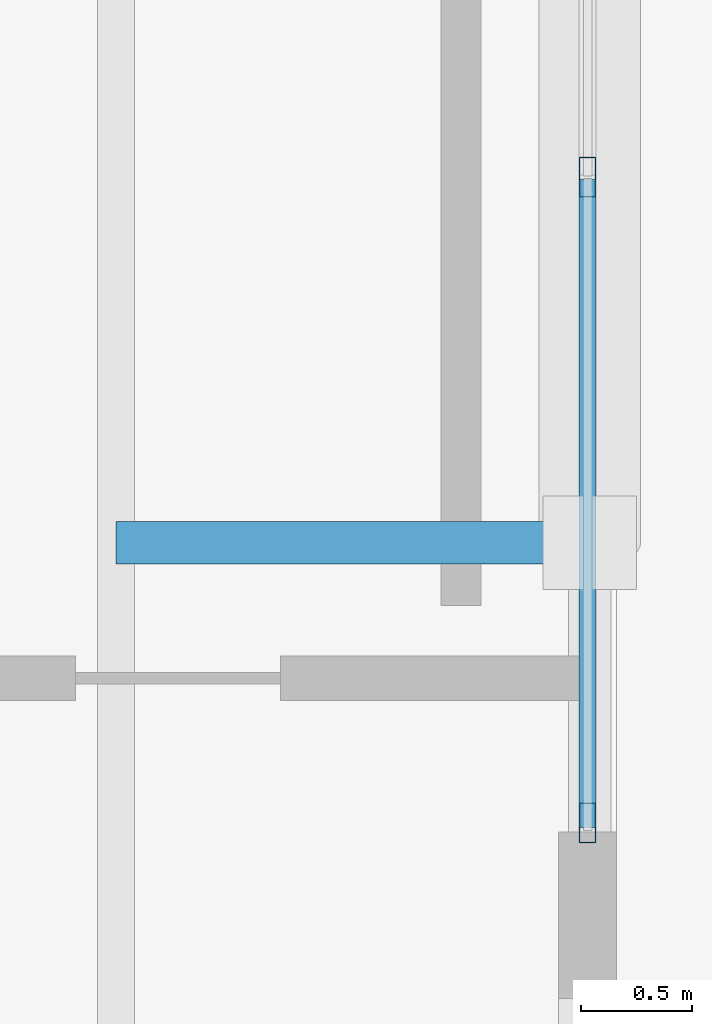
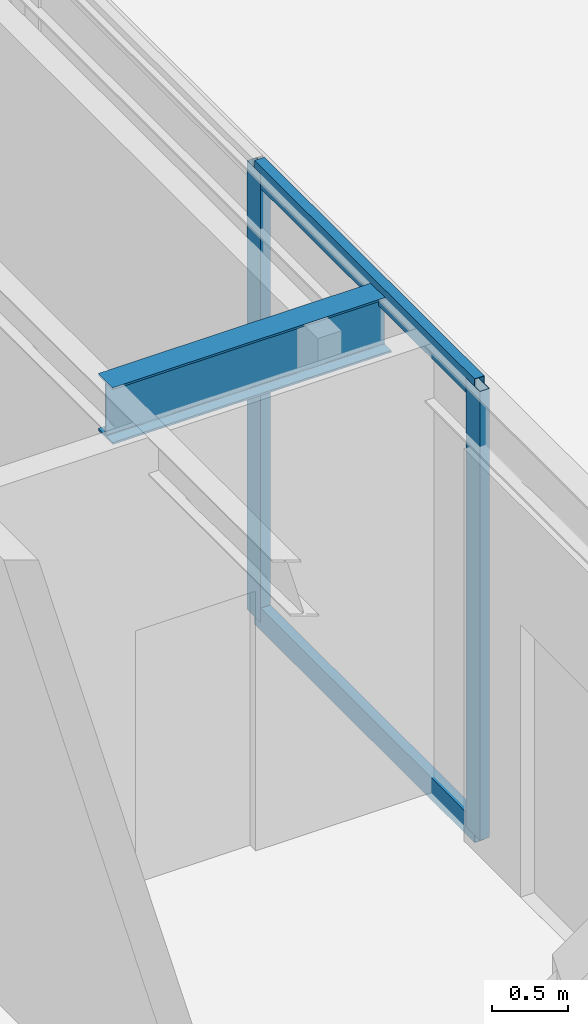
# One storey, part 2 of 14: 4 members, 1 beam, 1 element without a shape of its own.
"""IFC4 building model written with IfcOpenShell, lengths in metres."""

from ifc_helpers import new_model, si_unit, direction, frame, origin, origin_2d, place, context, subcontext, project, spatial, hollow_rectangle, i_section, extrude, material, material_profile, profile_set, type_object, element, aggregate, save


model = new_model("IFC4")

# Units and contexts
model_context = context("Model", 3, precision=1e-05, world=origin(), true_north=direction((0.0, 1.0)))
body_context = subcontext(model_context, "Body", "Model", "MODEL_VIEW")
ifc_project = project(units=[si_unit("LENGTHUNIT", "METRE"), si_unit("AREAUNIT", "SQUARE_METRE"), si_unit("VOLUMEUNIT", "CUBIC_METRE"), si_unit("PLANEANGLEUNIT", "RADIAN"), si_unit("MASSUNIT", "GRAM", prefix="KILO")], contexts=[model_context])

# Site, building, storey
site_placement = place(None, origin())
site = spatial("IfcSite", under=ifc_project, at=site_placement, CompositionType="ELEMENT")
building_placement = place(site_placement, origin())
building = spatial("IfcBuilding", under=site, at=building_placement, Name="Ventersveld Concourse Tower", CompositionType="ELEMENT")
storey_placement = place(building_placement, frame((0.0, 0.0, 337.5)))
storey = spatial("IfcBuildingStorey", under=building, at=storey_placement, Name="L83", CompositionType="ELEMENT", Elevation=337.5)

# Curtain wall, members
ifc_material_1 = material(Name="Anodised aluminium EN AW-6063-T6", Category="aluminium")
curtain_wall_type = type_object("IfcCurtainWallType", Name="CW-WP-5", PredefinedType="NOTDEFINED", material=ifc_material_1)
curtain_wall_placement = place(storey_placement, origin())
curtain_wall = element("IfcCurtainWall", 1, at=curtain_wall_placement, inside=storey, type_object=curtain_wall_type, Name="L83 L83 Wind Portal Aerodynamic Cheek Curtain Wall", PredefinedType="NOTDEFINED")
ifc_material_profile_1 = material_profile(ifc_material_1, hollow_rectangle(XDim=0.074951171875, YDim=0.179931640625, WallThickness=0.00390625, at=origin_2d()), Name="ALU 180x75x4")
ifc_profile_set_1 = profile_set([ifc_material_profile_1], Name="Anodised aluminium EN AW-6063-T6")
member_type_1 = type_object("IfcMemberType", Name="CWM-180x75", PredefinedType="MULLION", material=ifc_profile_set_1)
member_1_placement = place(storey_placement, frame((23.3701171875, 16.239990234375, 0.0), z_axis=(0.0, 0.0, 1.0), x_axis=(1.0, 0.0, 0.0)))
member_1 = element("IfcMember", 2, at=member_1_placement, type_object=member_type_1, Name="CW-L83-WP-W Mullion 01", PredefinedType="MULLION", context=body_context, shape_type="SweptSolid", body=[
    extrude(hollow_rectangle(XDim=0.074951171875, YDim=0.179931640625, WallThickness=0.00390625, at=origin_2d()), origin(), (0.0, 0.0, 1.0), 3.6298828125),
])
member_2_placement = place(storey_placement, frame((23.3701171875, 19.142822265625, 0.0), z_axis=(0.0, 0.0, 1.0), x_axis=(1.0, 0.0, 0.0)))
member_2 = element("IfcMember", 3, at=member_2_placement, type_object=member_type_1, Name="CW-L83-WP-W Mullion 02", PredefinedType="MULLION", context=body_context, shape_type="SweptSolid", body=[
    extrude(hollow_rectangle(XDim=0.074951171875, YDim=0.179931640625, WallThickness=0.00390625, at=origin_2d()), origin(), (0.0, 0.0, 1.0), 3.6298828125),
])
ifc_material_profile_2 = material_profile(ifc_material_1, hollow_rectangle(XDim=0.074951171875, YDim=0.179931640625, WallThickness=0.00390625, at=origin_2d()), Name="ALU 180x75x4")
ifc_profile_set_2 = profile_set([ifc_material_profile_2], Name="Anodised aluminium EN AW-6063-T6")
member_type_2 = type_object("IfcMemberType", Name="CWT-180x75", PredefinedType="USERDEFINED", material=ifc_profile_set_2)
member_3_placement = place(storey_placement, frame((23.3701171875, 16.219970703125, 0.030029296875), z_axis=(0.0, 1.0, 0.0), x_axis=(-1.0, 0.0, 0.0)))
member_3 = element("IfcMember", 4, at=member_3_placement, type_object=member_type_2, Name="CW-L83-WP-W Transom 1-01", ObjectType="TRANSOM", PredefinedType="USERDEFINED", context=body_context, shape_type="SweptSolid", body=[
    extrude(hollow_rectangle(XDim=0.074951171875, YDim=0.179931640625, WallThickness=0.00390625, at=origin_2d()), origin(), (0.0, 0.0, 1.0), 2.912841796875),
])
member_4_placement = place(storey_placement, frame((23.3701171875, 16.219970703125, 3.60009765625), z_axis=(0.0, 1.0, 0.0), x_axis=(-1.0, 0.0, 0.0)))
member_4 = element("IfcMember", 5, at=member_4_placement, type_object=member_type_2, Name="CW-L83-WP-W Transom 2-01", ObjectType="TRANSOM", PredefinedType="USERDEFINED", context=body_context, shape_type="SweptSolid", body=[
    extrude(hollow_rectangle(XDim=0.074951171875, YDim=0.179931640625, WallThickness=0.00390625, at=origin_2d()), origin(), (0.0, 0.0, 1.0), 2.912841796875),
])
aggregate(curtain_wall, [member_1, member_2, member_3, member_4])

# Beam
ifc_material_2 = material(Name="Structural steel S355J2", Category="steel")
ifc_material_profile_3 = material_profile(ifc_material_2, i_section(OverallWidth=0.19140625, OverallDepth=0.4599609375, WebThickness=0.010009765625, FlangeThickness=0.01611328125, FilletRadius=0.01025390625, at=origin_2d()), Name="UB 457x191x82")
ifc_profile_set_3 = profile_set([ifc_material_profile_3], Name="Structural steel S355J2")
beam_type = type_object("IfcBeamType", Name="SPD-UB457", PredefinedType="SPANDREL", material=ifc_profile_set_3)
beam_placement = place(storey_placement, frame((21.25, 17.5, 3.39990234375), z_axis=(1.0, 0.0, 0.0), x_axis=(0.0, 1.0, 0.0)))
element("IfcBeam", 6, at=beam_placement, inside=storey, type_object=beam_type, Name="L83 Wind Portal West Tie YM", PredefinedType="SPANDREL", context=body_context, shape_type="SweptSolid", body=[
    extrude(i_section(OverallWidth=0.19140625, OverallDepth=0.4599609375, WebThickness=0.010009765625, FlangeThickness=0.01611328125, FilletRadius=0.01025390625, at=origin_2d()), origin(), (0.0, 0.0, 1.0), 2.1298828125),
])

save(model, "model.ifc")
